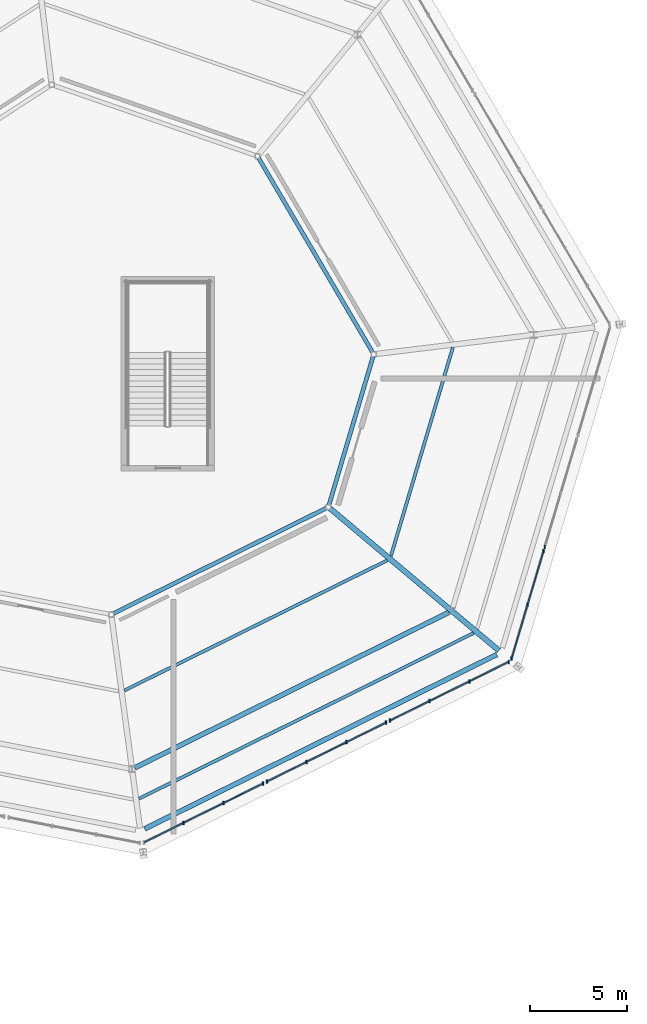
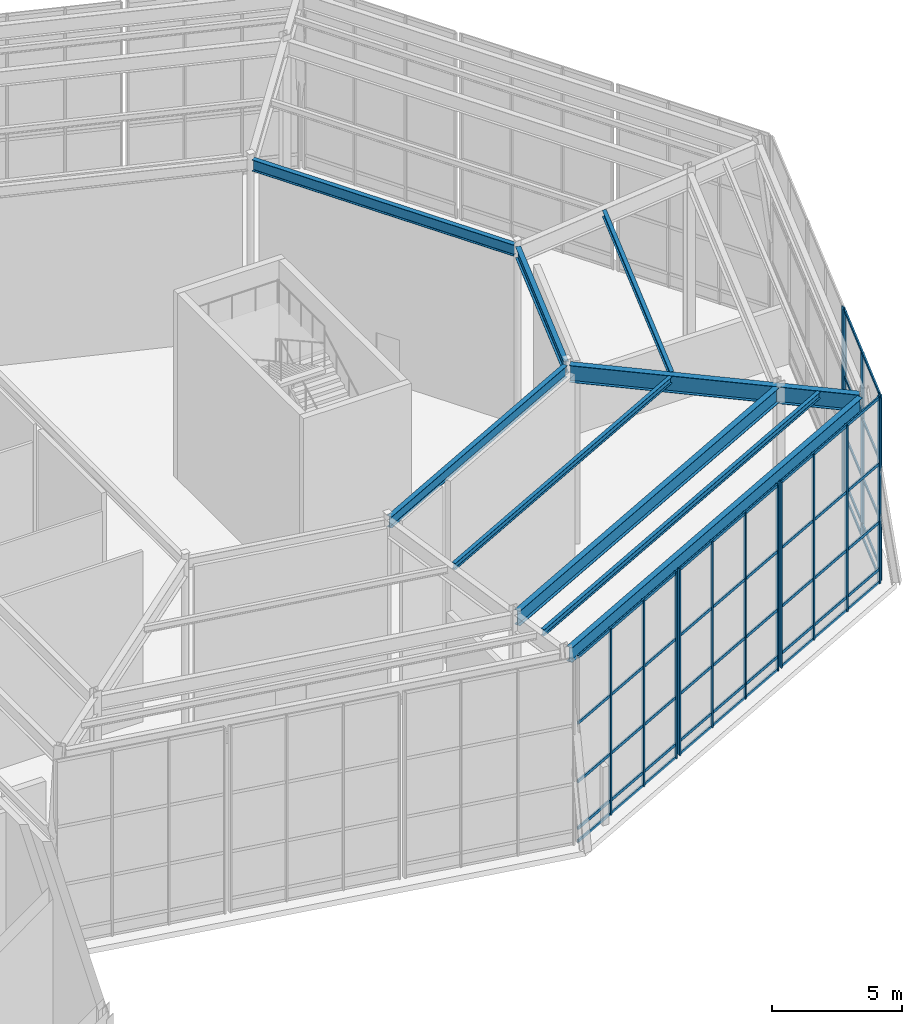
# One storey, part 22 of 48: 35 members, 9 beams, 5 elements without a shape of their own.
"""IFC4 building model written with IfcOpenShell, lengths in metres."""

from ifc_helpers import new_model, si_unit, direction, frame, origin, origin_2d, place, context, subcontext, project, spatial, rectangle, i_section, extrude, material, material_profile, profile_set, type_object, element, aggregate, save


model = new_model("IFC4")

# Units and contexts
model_context = context("Model", 3, precision=1e-05, world=origin(), true_north=direction((0.0, 1.0)))
body_context = subcontext(model_context, "Body", "Model", "MODEL_VIEW")
ifc_project = project(units=[si_unit("LENGTHUNIT", "METRE"), si_unit("AREAUNIT", "SQUARE_METRE"), si_unit("VOLUMEUNIT", "CUBIC_METRE"), si_unit("PLANEANGLEUNIT", "RADIAN"), si_unit("MASSUNIT", "GRAM", prefix="KILO")], contexts=[model_context])

# Site, building, storey
site_placement = place(None, origin())
site = spatial("IfcSite", under=ifc_project, at=site_placement, CompositionType="ELEMENT")
building_placement = place(site_placement, origin())
building = spatial("IfcBuilding", under=site, at=building_placement, Name="Sarnbrook Museum", CompositionType="ELEMENT")
storey_placement = place(building_placement, frame((0.0, 0.0, 19.10009765625)))
storey = spatial("IfcBuildingStorey", under=building, at=storey_placement, Name="L04", CompositionType="ELEMENT", Elevation=19.10009765625)

# Beams
ifc_material_1 = material(Name="Structural Steel Grade 300PLUS (AS/NZS 3679.1, fy = 280 MPa for 17 < t <= 40 mm, 300 MPa for t <= 17 mm)", Category="steel")
ifc_material_profile_1 = material_profile(ifc_material_1, i_section(OverallWidth=0.208984375, OverallDepth=0.532958984375, WebThickness=0.01025390625, FlangeThickness=0.015625, FilletRadius=0.013916015625, at=origin_2d()), Name="530UB92.4")
ifc_profile_set_1 = profile_set([ifc_material_profile_1], Name="Structural Steel Grade 300PLUS (AS/NZS 3679.1, fy = 280 MPa for 17 < t <= 40 mm, 300 MPa for t <= 17 mm)")
beam_type_1 = type_object("IfcBeamType", Name="BM-UB530", PredefinedType="BEAM", material=ifc_profile_set_1)
beam_1_placement = place(storey_placement, frame((140.99462890625, 72.882080078125, 8.473388671875), z_axis=(0.896163006555, 0.443724988796, 0.0), x_axis=(-0.443724988796, 0.896163006555, 0.0)))
element("IfcBeam", 1, at=beam_1_placement, inside=storey, type_object=beam_type_1, Name="Crystal Hall R2 Ring Girder 2 L04", PredefinedType="BEAM", context=body_context, shape_type="SweptSolid", body=[
    extrude(i_section(OverallWidth=0.208984375, OverallDepth=0.532958984375, WebThickness=0.01025390625, FlangeThickness=0.015625, FilletRadius=0.013916015625, at=origin_2d()), origin(), (0.0, 0.0, 1.0), 12.216796875),
])
beam_2_placement = place(storey_placement, frame((152.08447265625, 78.47119140625, 8.473388671875), z_axis=(0.284603578138, 0.958645295879, 0.0), x_axis=(-0.958645295879, 0.284603578138, 0.0)))
element("IfcBeam", 2, at=beam_2_placement, inside=storey, type_object=beam_type_1, Name="Crystal Hall R2 Ring Girder 3 L04", PredefinedType="BEAM", context=body_context, shape_type="SweptSolid", body=[
    extrude(i_section(OverallWidth=0.208984375, OverallDepth=0.532958984375, WebThickness=0.01025390625, FlangeThickness=0.015625, FilletRadius=0.013916015625, at=origin_2d()), origin(), (0.0, 0.0, 1.0), 7.952880859375),
])
beam_3_placement = place(storey_placement, frame((154.3212890625, 86.313720703125, 8.473388671875), z_axis=(-0.506064427748, 0.862495678231, 0.0), x_axis=(-0.862495678231, -0.506064427748, 0.0)))
element("IfcBeam", 3, at=beam_3_placement, inside=storey, type_object=beam_type_1, Name="Crystal Hall R2 Ring Girder 4 L04", PredefinedType="BEAM", context=body_context, shape_type="SweptSolid", body=[
    extrude(i_section(OverallWidth=0.208984375, OverallDepth=0.532958984375, WebThickness=0.01025390625, FlangeThickness=0.015625, FilletRadius=0.013916015625, at=origin_2d()), origin(), (0.0, 0.0, 1.0), 11.569580078125),
])
ifc_material_2 = material(Name="Structural Steel Grade 350L0 (AS/NZS 3678, fy = 340 MPa for 20 < t <= 40 mm)", Category="steel")
ifc_material_profile_2 = material_profile(ifc_material_2, i_section(OverallWidth=0.25, OverallDepth=0.699951171875, WebThickness=0.010009765625, FlangeThickness=0.01611328125, at=origin_2d()), Name="700WB130")
ifc_profile_set_2 = profile_set([ifc_material_profile_2], Name="Structural Steel Grade 350L0 (AS/NZS 3678, fy = 340 MPa for 20 < t <= 40 mm)")
beam_type_2 = type_object("IfcBeamType", Name="BM-WB700", PredefinedType="BEAM", material=ifc_profile_set_2)
beam_4_placement = place(storey_placement, frame((142.607421875, 61.81005859375, 8.389892578125), z_axis=(0.896158997355, 0.443733085829, 0.0), x_axis=(-0.443733085829, 0.896158997355, 0.0)))
element("IfcBeam", 4, at=beam_4_placement, inside=storey, type_object=beam_type_2, Name="Crystal Hall Perimeter Ring Girder 2 L04", PredefinedType="BEAM", context=body_context, shape_type="SweptSolid", body=[
    extrude(i_section(OverallWidth=0.25, OverallDepth=0.699951171875, WebThickness=0.010009765625, FlangeThickness=0.01611328125, at=origin_2d()), origin(), (0.0, 0.0, 1.0), 20.193359375),
])
beam_5_placement = place(storey_placement, frame((142.099609375, 64.948486328125, 8.389892578125), z_axis=(0.8961652972, 0.443720362497, 0.0), x_axis=(-0.443720362497, 0.8961652972, 0.0)))
element("IfcBeam", 5, at=beam_5_placement, inside=storey, type_object=beam_type_2, Name="Crystal Hall R1 Ring Girder 2 L04", PredefinedType="BEAM", context=body_context, shape_type="SweptSolid", body=[
    extrude(i_section(OverallWidth=0.25, OverallDepth=0.699951171875, WebThickness=0.010009765625, FlangeThickness=0.01611328125, at=origin_2d()), origin(), (0.0, 0.0, 1.0), 18.021240234375),
])
ifc_material_profile_3 = material_profile(ifc_material_2, i_section(OverallWidth=0.27490234375, OverallDepth=0.800048828125, WebThickness=0.010009765625, FlangeThickness=0.01611328125, at=origin_2d()), Name="800WB146")
ifc_profile_set_3 = profile_set([ifc_material_profile_3], Name="Structural Steel Grade 350L0 (AS/NZS 3678, fy = 340 MPa for 20 < t <= 40 mm)")
beam_type_3 = type_object("IfcBeamType", Name="CR-CANT", PredefinedType="BEAM", material=ifc_profile_set_3)
beam_6_placement = place(storey_placement, frame((152.14208984375, 78.27880859375, 8.33984375), z_axis=(0.764964813544, -0.644072072085, 0.0), x_axis=(0.644072072085, 0.764964813544, 0.0)))
element("IfcBeam", 6, at=beam_6_placement, inside=storey, type_object=beam_type_3, Name="Crystal Hall Radial Cantilever Girder 3 L04", PredefinedType="BEAM", context=body_context, shape_type="SweptSolid", body=[
    extrude(i_section(OverallWidth=0.27490234375, OverallDepth=0.800048828125, WebThickness=0.010009765625, FlangeThickness=0.01611328125, at=origin_2d()), origin(), (0.0, 0.0, 1.0), 11.33544921875),
])

# Curtain wall, members
ifc_material_3 = material(Name="Thermally Broken Anodised Aluminium 6063-T6", Category="aluminium")
curtain_wall_type = type_object("IfcCurtainWallType", Name="CurtainWall_CrystalFacet", PredefinedType="NOTDEFINED", material=ifc_material_3)
curtain_wall_1_placement = place(storey_placement, origin())
curtain_wall_1 = element("IfcCurtainWall", 7, at=curtain_wall_1_placement, inside=storey, type_object=curtain_wall_type, Name="Crystal Hall Facet Curtain Wall L04-F2.1", PredefinedType="NOTDEFINED")
ifc_material_profile_4 = material_profile(ifc_material_3, rectangle(XDim=0.06494140625, YDim=0.179931640625, at=origin_2d()), Name="ALU MULLION 65x180")
ifc_profile_set_4 = profile_set([ifc_material_profile_4], Name="Thermally Broken Anodised Aluminium 6063-T6")
member_type_1 = type_object("IfcMemberType", Name="CW_Mullion_180x75", PredefinedType="MULLION", material=ifc_profile_set_4)
member_1_placement = place(storey_placement, frame((144.6005859375, 62.11669921875, 0.0), z_axis=(0.0, 0.0, 1.0), x_axis=(1.0, 0.0, 0.0)))
member_1 = element("IfcMember", 8, at=member_1_placement, type_object=member_type_1, Name="Crystal Hall Facet Curtain Wall L04-F2.1 Mullion 2", PredefinedType="MULLION", context=body_context, shape_type="SweptSolid", body=[
    extrude(rectangle(XDim=0.06494140625, YDim=0.179931640625, at=origin_2d()), origin(), (0.0, 0.0, 1.0), 8.739990234375),
])
member_2_placement = place(storey_placement, frame((146.66015625, 63.13671875, 0.0), z_axis=(0.0, 0.0, 1.0), x_axis=(1.0, 0.0, 0.0)))
member_2 = element("IfcMember", 9, at=member_2_placement, type_object=member_type_1, Name="Crystal Hall Facet Curtain Wall L04-F2.1 Mullion 3", PredefinedType="MULLION", context=body_context, shape_type="SweptSolid", body=[
    extrude(rectangle(XDim=0.06494140625, YDim=0.179931640625, at=origin_2d()), origin(), (0.0, 0.0, 1.0), 8.739990234375),
])
member_3_placement = place(storey_placement, frame((148.68408203125, 64.138671875, 0.0), z_axis=(0.0, 0.0, 1.0), x_axis=(1.0, 0.0, 0.0)))
member_3 = element("IfcMember", 10, at=member_3_placement, type_object=member_type_1, Name="Crystal Hall Facet Curtain Wall L04-F2.1 Mullion 4", PredefinedType="MULLION", context=body_context, shape_type="SweptSolid", body=[
    extrude(rectangle(XDim=0.06494140625, YDim=0.179931640625, at=origin_2d()), origin(), (0.0, 0.0, 1.0), 8.739990234375),
])

curtain_wall_2_placement = place(storey_placement, origin())
curtain_wall_2 = element("IfcCurtainWall", 11, at=curtain_wall_2_placement, inside=storey, type_object=curtain_wall_type, Name="Crystal Hall Facet Curtain Wall L04-F2.2", PredefinedType="NOTDEFINED")
member_4_placement = place(storey_placement, frame((148.899169921875, 64.2451171875, 0.0), z_axis=(0.0, 0.0, 1.0), x_axis=(1.0, 0.0, 0.0)))
member_4 = element("IfcMember", 12, at=member_4_placement, type_object=member_type_1, Name="Crystal Hall Facet Curtain Wall L04-F2.2 Mullion 1", PredefinedType="MULLION", context=body_context, shape_type="SweptSolid", body=[
    extrude(rectangle(XDim=0.06494140625, YDim=0.179931640625, at=origin_2d()), origin(), (0.0, 0.0, 1.0), 8.739990234375),
])
member_5_placement = place(storey_placement, frame((150.923095703125, 65.247314453125, 0.0), z_axis=(0.0, 0.0, 1.0), x_axis=(1.0, 0.0, 0.0)))
member_5 = element("IfcMember", 13, at=member_5_placement, type_object=member_type_1, Name="Crystal Hall Facet Curtain Wall L04-F2.2 Mullion 2", PredefinedType="MULLION", context=body_context, shape_type="SweptSolid", body=[
    extrude(rectangle(XDim=0.06494140625, YDim=0.179931640625, at=origin_2d()), origin(), (0.0, 0.0, 1.0), 8.739990234375),
])
member_6_placement = place(storey_placement, frame((152.98291015625, 66.26708984375, 0.0), z_axis=(0.0, 0.0, 1.0), x_axis=(1.0, 0.0, 0.0)))
member_6 = element("IfcMember", 14, at=member_6_placement, type_object=member_type_1, Name="Crystal Hall Facet Curtain Wall L04-F2.2 Mullion 3", PredefinedType="MULLION", context=body_context, shape_type="SweptSolid", body=[
    extrude(rectangle(XDim=0.06494140625, YDim=0.179931640625, at=origin_2d()), origin(), (0.0, 0.0, 1.0), 8.739990234375),
])
member_7_placement = place(storey_placement, frame((155.006591796875, 67.269287109375, 0.0), z_axis=(0.0, 0.0, 1.0), x_axis=(1.0, 0.0, 0.0)))
member_7 = element("IfcMember", 15, at=member_7_placement, type_object=member_type_1, Name="Crystal Hall Facet Curtain Wall L04-F2.2 Mullion 4", PredefinedType="MULLION", context=body_context, shape_type="SweptSolid", body=[
    extrude(rectangle(XDim=0.06494140625, YDim=0.179931640625, at=origin_2d()), origin(), (0.0, 0.0, 1.0), 8.739990234375),
])

curtain_wall_3_placement = place(storey_placement, origin())
curtain_wall_3 = element("IfcCurtainWall", 16, at=curtain_wall_3_placement, inside=storey, type_object=curtain_wall_type, Name="Crystal Hall Facet Curtain Wall L04-F2.3", PredefinedType="NOTDEFINED")
member_8_placement = place(storey_placement, frame((155.2216796875, 67.375732421875, 0.0), z_axis=(0.0, 0.0, 1.0), x_axis=(1.0, 0.0, 0.0)))
member_8 = element("IfcMember", 17, at=member_8_placement, type_object=member_type_1, Name="Crystal Hall Facet Curtain Wall L04-F2.3 Mullion 1", PredefinedType="MULLION", context=body_context, shape_type="SweptSolid", body=[
    extrude(rectangle(XDim=0.06494140625, YDim=0.179931640625, at=origin_2d()), origin(), (0.0, 0.0, 1.0), 8.739990234375),
])
member_9_placement = place(storey_placement, frame((157.24560546875, 68.3779296875, 0.0), z_axis=(0.0, 0.0, 1.0), x_axis=(1.0, 0.0, 0.0)))
member_9 = element("IfcMember", 18, at=member_9_placement, type_object=member_type_1, Name="Crystal Hall Facet Curtain Wall L04-F2.3 Mullion 2", PredefinedType="MULLION", context=body_context, shape_type="SweptSolid", body=[
    extrude(rectangle(XDim=0.06494140625, YDim=0.179931640625, at=origin_2d()), origin(), (0.0, 0.0, 1.0), 8.739990234375),
])
member_10_placement = place(storey_placement, frame((159.305419921875, 69.397705078125, 0.0), z_axis=(0.0, 0.0, 1.0), x_axis=(1.0, 0.0, 0.0)))
member_10 = element("IfcMember", 19, at=member_10_placement, type_object=member_type_1, Name="Crystal Hall Facet Curtain Wall L04-F2.3 Mullion 3", PredefinedType="MULLION", context=body_context, shape_type="SweptSolid", body=[
    extrude(rectangle(XDim=0.06494140625, YDim=0.179931640625, at=origin_2d()), origin(), (0.0, 0.0, 1.0), 8.739990234375),
])
member_11_placement = place(storey_placement, frame((161.3291015625, 70.39990234375, 0.0), z_axis=(0.0, 0.0, 1.0), x_axis=(1.0, 0.0, 0.0)))
member_11 = element("IfcMember", 20, at=member_11_placement, type_object=member_type_1, Name="Crystal Hall Facet Curtain Wall L04-F2.3 Mullion 4", PredefinedType="MULLION", context=body_context, shape_type="SweptSolid", body=[
    extrude(rectangle(XDim=0.06494140625, YDim=0.179931640625, at=origin_2d()), origin(), (0.0, 0.0, 1.0), 8.739990234375),
])

curtain_wall_4_placement = place(storey_placement, origin())
curtain_wall_4 = element("IfcCurtainWall", 21, at=curtain_wall_4_placement, inside=storey, type_object=curtain_wall_type, Name="Crystal Hall Facet Curtain Wall L04-F3.1", PredefinedType="NOTDEFINED")
member_12_placement = place(storey_placement, frame((161.470947265625, 70.568115234375, 0.0), z_axis=(0.0, 0.0, 1.0), x_axis=(1.0, 0.0, 0.0)))
member_12 = element("IfcMember", 22, at=member_12_placement, type_object=member_type_1, Name="Crystal Hall Facet Curtain Wall L04-F3.1 Mullion 1", PredefinedType="MULLION", context=body_context, shape_type="SweptSolid", body=[
    extrude(rectangle(XDim=0.06494140625, YDim=0.179931640625, at=origin_2d()), origin(), (0.0, 0.0, 1.0), 8.739990234375),
])
member_13_placement = place(storey_placement, frame((162.28955078125, 73.325927734375, 0.0), z_axis=(0.0, 0.0, 1.0), x_axis=(1.0, 0.0, 0.0)))
member_13 = element("IfcMember", 23, at=member_13_placement, type_object=member_type_1, Name="Crystal Hall Facet Curtain Wall L04-F3.1 Mullion 2", PredefinedType="MULLION", context=body_context, shape_type="SweptSolid", body=[
    extrude(rectangle(XDim=0.06494140625, YDim=0.179931640625, at=origin_2d()), origin(), (0.0, 0.0, 1.0), 8.739990234375),
])
member_14_placement = place(storey_placement, frame((163.1083984375, 76.083740234375, 0.0), z_axis=(0.0, 0.0, 1.0), x_axis=(1.0, 0.0, 0.0)))
member_14 = element("IfcMember", 24, at=member_14_placement, type_object=member_type_1, Name="Crystal Hall Facet Curtain Wall L04-F3.1 Mullion 3", PredefinedType="MULLION", context=body_context, shape_type="SweptSolid", body=[
    extrude(rectangle(XDim=0.06494140625, YDim=0.179931640625, at=origin_2d()), origin(), (0.0, 0.0, 1.0), 8.739990234375),
])

# Curtain wall, member
curtain_wall_5_placement = place(storey_placement, origin())
curtain_wall_5 = element("IfcCurtainWall", 25, at=curtain_wall_5_placement, inside=storey, type_object=curtain_wall_type, Name="Crystal Hall Facet Curtain Wall L04-F3.2", PredefinedType="NOTDEFINED")
member_15_placement = place(storey_placement, frame((163.176513671875, 76.31396484375, 0.0), z_axis=(0.0, 0.0, 1.0), x_axis=(1.0, 0.0, 0.0)))
member_15 = element("IfcMember", 26, at=member_15_placement, type_object=member_type_1, Name="Crystal Hall Facet Curtain Wall L04-F3.2 Mullion 1", PredefinedType="MULLION", context=body_context, shape_type="SweptSolid", body=[
    extrude(rectangle(XDim=0.06494140625, YDim=0.179931640625, at=origin_2d()), origin(), (0.0, 0.0, 1.0), 8.739990234375),
])
aggregate(curtain_wall_5, [member_15])

# Member
ifc_material_profile_5 = material_profile(ifc_material_3, rectangle(XDim=0.06494140625, YDim=0.139892578125, at=origin_2d()), Name="ALU TRANSOM 65x140")
ifc_profile_set_5 = profile_set([ifc_material_profile_5], Name="Thermally Broken Anodised Aluminium 6063-T6")
member_type_2 = type_object("IfcMemberType", Name="CW_Transom_150x65", PredefinedType="USERDEFINED", material=ifc_profile_set_5)
member_16_placement = place(storey_placement, frame((142.585693359375, 61.119140625, 0.039794921875), z_axis=(0.896159427972, 0.443732216159, 0.0), x_axis=(-0.443732216159, 0.896159427972, 0.0)))
member_16 = element("IfcMember", 27, at=member_16_placement, type_object=member_type_2, Name="Crystal Hall Facet Curtain Wall L04-F2.1 Transom 1", ObjectType="TRANSOM", PredefinedType="USERDEFINED", context=body_context, shape_type="SweptSolid", body=[
    extrude(rectangle(XDim=0.06494140625, YDim=0.139892578125, at=origin_2d()), origin(), (0.0, 0.0, 1.0), 6.794921875),
])

member_17_placement = place(storey_placement, frame((142.585693359375, 61.119140625, 0.64990234375), z_axis=(0.896159427972, 0.443732216159, 0.0), x_axis=(-0.443732216159, 0.896159427972, 0.0)))
member_17 = element("IfcMember", 28, at=member_17_placement, type_object=member_type_2, Name="Crystal Hall Facet Curtain Wall L04-F2.1 Transom 2", ObjectType="TRANSOM", PredefinedType="USERDEFINED", context=body_context, shape_type="SweptSolid", body=[
    extrude(rectangle(XDim=0.06494140625, YDim=0.139892578125, at=origin_2d()), origin(), (0.0, 0.0, 1.0), 6.794921875),
])

member_18_placement = place(storey_placement, frame((142.585693359375, 61.119140625, 2.849853515625), z_axis=(0.896159427972, 0.443732216159, 0.0), x_axis=(-0.443732216159, 0.896159427972, 0.0)))
member_18 = element("IfcMember", 29, at=member_18_placement, type_object=member_type_2, Name="Crystal Hall Facet Curtain Wall L04-F2.1 Transom 3", ObjectType="TRANSOM", PredefinedType="USERDEFINED", context=body_context, shape_type="SweptSolid", body=[
    extrude(rectangle(XDim=0.06494140625, YDim=0.139892578125, at=origin_2d()), origin(), (0.0, 0.0, 1.0), 6.794921875),
])

member_19_placement = place(storey_placement, frame((142.585693359375, 61.119140625, 5.599853515625), z_axis=(0.896159427972, 0.443732216159, 0.0), x_axis=(-0.443732216159, 0.896159427972, 0.0)))
member_19 = element("IfcMember", 30, at=member_19_placement, type_object=member_type_2, Name="Crystal Hall Facet Curtain Wall L04-F2.1 Transom 4", ObjectType="TRANSOM", PredefinedType="USERDEFINED", context=body_context, shape_type="SweptSolid", body=[
    extrude(rectangle(XDim=0.06494140625, YDim=0.139892578125, at=origin_2d()), origin(), (0.0, 0.0, 1.0), 6.794921875),
])

member_20_placement = place(storey_placement, frame((142.585693359375, 61.119140625, 8.699951171875), z_axis=(0.896159427972, 0.443732216159, 0.0), x_axis=(-0.443732216159, 0.896159427972, 0.0)))
member_20 = element("IfcMember", 31, at=member_20_placement, type_object=member_type_2, Name="Crystal Hall Facet Curtain Wall L04-F2.1 Transom 5", ObjectType="TRANSOM", PredefinedType="USERDEFINED", context=body_context, shape_type="SweptSolid", body=[
    extrude(rectangle(XDim=0.06494140625, YDim=0.139892578125, at=origin_2d()), origin(), (0.0, 0.0, 1.0), 6.794921875),
])

aggregate(curtain_wall_1, [member_1, member_2, member_3, member_16, member_17, member_18, member_19, member_20])

member_21_placement = place(storey_placement, frame((148.908203125, 64.249755859375, 0.039794921875), z_axis=(0.896166502133, 0.443717928932, 0.0), x_axis=(-0.443717928932, 0.896166502133, 0.0)))
member_21 = element("IfcMember", 32, at=member_21_placement, type_object=member_type_2, Name="Crystal Hall Facet Curtain Wall L04-F2.2 Transom 1", ObjectType="TRANSOM", PredefinedType="USERDEFINED", context=body_context, shape_type="SweptSolid", body=[
    extrude(rectangle(XDim=0.06494140625, YDim=0.139892578125, at=origin_2d()), origin(), (0.0, 0.0, 1.0), 6.795166015625),
])

member_22_placement = place(storey_placement, frame((148.908203125, 64.249755859375, 0.64990234375), z_axis=(0.896166502133, 0.443717928932, 0.0), x_axis=(-0.443717928932, 0.896166502133, 0.0)))
member_22 = element("IfcMember", 33, at=member_22_placement, type_object=member_type_2, Name="Crystal Hall Facet Curtain Wall L04-F2.2 Transom 2", ObjectType="TRANSOM", PredefinedType="USERDEFINED", context=body_context, shape_type="SweptSolid", body=[
    extrude(rectangle(XDim=0.06494140625, YDim=0.139892578125, at=origin_2d()), origin(), (0.0, 0.0, 1.0), 6.795166015625),
])

member_23_placement = place(storey_placement, frame((148.908203125, 64.249755859375, 2.849853515625), z_axis=(0.896166502133, 0.443717928932, 0.0), x_axis=(-0.443717928932, 0.896166502133, 0.0)))
member_23 = element("IfcMember", 34, at=member_23_placement, type_object=member_type_2, Name="Crystal Hall Facet Curtain Wall L04-F2.2 Transom 3", ObjectType="TRANSOM", PredefinedType="USERDEFINED", context=body_context, shape_type="SweptSolid", body=[
    extrude(rectangle(XDim=0.06494140625, YDim=0.139892578125, at=origin_2d()), origin(), (0.0, 0.0, 1.0), 6.795166015625),
])

member_24_placement = place(storey_placement, frame((148.908203125, 64.249755859375, 5.599853515625), z_axis=(0.896166502133, 0.443717928932, 0.0), x_axis=(-0.443717928932, 0.896166502133, 0.0)))
member_24 = element("IfcMember", 35, at=member_24_placement, type_object=member_type_2, Name="Crystal Hall Facet Curtain Wall L04-F2.2 Transom 4", ObjectType="TRANSOM", PredefinedType="USERDEFINED", context=body_context, shape_type="SweptSolid", body=[
    extrude(rectangle(XDim=0.06494140625, YDim=0.139892578125, at=origin_2d()), origin(), (0.0, 0.0, 1.0), 6.795166015625),
])

member_25_placement = place(storey_placement, frame((148.908203125, 64.249755859375, 8.699951171875), z_axis=(0.896166502133, 0.443717928932, 0.0), x_axis=(-0.443717928932, 0.896166502133, 0.0)))
member_25 = element("IfcMember", 36, at=member_25_placement, type_object=member_type_2, Name="Crystal Hall Facet Curtain Wall L04-F2.2 Transom 5", ObjectType="TRANSOM", PredefinedType="USERDEFINED", context=body_context, shape_type="SweptSolid", body=[
    extrude(rectangle(XDim=0.06494140625, YDim=0.139892578125, at=origin_2d()), origin(), (0.0, 0.0, 1.0), 6.795166015625),
])

aggregate(curtain_wall_2, [member_4, member_5, member_6, member_7, member_21, member_22, member_23, member_24, member_25])

member_26_placement = place(storey_placement, frame((155.230712890625, 67.380126953125, 0.039794921875), z_axis=(0.896152215072, 0.443746782999, 0.0), x_axis=(-0.443746782999, 0.896152215072, 0.0)))
member_26 = element("IfcMember", 37, at=member_26_placement, type_object=member_type_2, Name="Crystal Hall Facet Curtain Wall L04-F2.3 Transom 1", ObjectType="TRANSOM", PredefinedType="USERDEFINED", context=body_context, shape_type="SweptSolid", body=[
    extrude(rectangle(XDim=0.06494140625, YDim=0.139892578125, at=origin_2d()), origin(), (0.0, 0.0, 1.0), 6.795166015625),
])

member_27_placement = place(storey_placement, frame((155.230712890625, 67.380126953125, 0.64990234375), z_axis=(0.896152215072, 0.443746782999, 0.0), x_axis=(-0.443746782999, 0.896152215072, 0.0)))
member_27 = element("IfcMember", 38, at=member_27_placement, type_object=member_type_2, Name="Crystal Hall Facet Curtain Wall L04-F2.3 Transom 2", ObjectType="TRANSOM", PredefinedType="USERDEFINED", context=body_context, shape_type="SweptSolid", body=[
    extrude(rectangle(XDim=0.06494140625, YDim=0.139892578125, at=origin_2d()), origin(), (0.0, 0.0, 1.0), 6.795166015625),
])

member_28_placement = place(storey_placement, frame((155.230712890625, 67.380126953125, 2.849853515625), z_axis=(0.896152215072, 0.443746782999, 0.0), x_axis=(-0.443746782999, 0.896152215072, 0.0)))
member_28 = element("IfcMember", 39, at=member_28_placement, type_object=member_type_2, Name="Crystal Hall Facet Curtain Wall L04-F2.3 Transom 3", ObjectType="TRANSOM", PredefinedType="USERDEFINED", context=body_context, shape_type="SweptSolid", body=[
    extrude(rectangle(XDim=0.06494140625, YDim=0.139892578125, at=origin_2d()), origin(), (0.0, 0.0, 1.0), 6.795166015625),
])

member_29_placement = place(storey_placement, frame((155.230712890625, 67.380126953125, 5.599853515625), z_axis=(0.896152215072, 0.443746782999, 0.0), x_axis=(-0.443746782999, 0.896152215072, 0.0)))
member_29 = element("IfcMember", 40, at=member_29_placement, type_object=member_type_2, Name="Crystal Hall Facet Curtain Wall L04-F2.3 Transom 4", ObjectType="TRANSOM", PredefinedType="USERDEFINED", context=body_context, shape_type="SweptSolid", body=[
    extrude(rectangle(XDim=0.06494140625, YDim=0.139892578125, at=origin_2d()), origin(), (0.0, 0.0, 1.0), 6.795166015625),
])

member_30_placement = place(storey_placement, frame((155.230712890625, 67.380126953125, 8.699951171875), z_axis=(0.896152215072, 0.443746782999, 0.0), x_axis=(-0.443746782999, 0.896152215072, 0.0)))
member_30 = element("IfcMember", 41, at=member_30_placement, type_object=member_type_2, Name="Crystal Hall Facet Curtain Wall L04-F2.3 Transom 5", ObjectType="TRANSOM", PredefinedType="USERDEFINED", context=body_context, shape_type="SweptSolid", body=[
    extrude(rectangle(XDim=0.06494140625, YDim=0.139892578125, at=origin_2d()), origin(), (0.0, 0.0, 1.0), 6.795166015625),
])

aggregate(curtain_wall_3, [member_8, member_9, member_10, member_11, member_26, member_27, member_28, member_29, member_30])

member_31_placement = place(storey_placement, frame((161.4736328125, 70.57763671875, 0.039794921875), z_axis=(0.284604402661, 0.958645051093, 0.0), x_axis=(-0.958645051093, 0.284604402661, 0.0)))
member_31 = element("IfcMember", 42, at=member_31_placement, type_object=member_type_2, Name="Crystal Hall Facet Curtain Wall L04-F3.1 Transom 1", ObjectType="TRANSOM", PredefinedType="USERDEFINED", context=body_context, shape_type="SweptSolid", body=[
    extrude(rectangle(XDim=0.06494140625, YDim=0.139892578125, at=origin_2d()), origin(), (0.0, 0.0, 1.0), 5.733642578125),
])

member_32_placement = place(storey_placement, frame((161.4736328125, 70.57763671875, 0.64990234375), z_axis=(0.284604402661, 0.958645051093, 0.0), x_axis=(-0.958645051093, 0.284604402661, 0.0)))
member_32 = element("IfcMember", 43, at=member_32_placement, type_object=member_type_2, Name="Crystal Hall Facet Curtain Wall L04-F3.1 Transom 2", ObjectType="TRANSOM", PredefinedType="USERDEFINED", context=body_context, shape_type="SweptSolid", body=[
    extrude(rectangle(XDim=0.06494140625, YDim=0.139892578125, at=origin_2d()), origin(), (0.0, 0.0, 1.0), 5.733642578125),
])

member_33_placement = place(storey_placement, frame((161.4736328125, 70.57763671875, 2.849853515625), z_axis=(0.284604402661, 0.958645051093, 0.0), x_axis=(-0.958645051093, 0.284604402661, 0.0)))
member_33 = element("IfcMember", 44, at=member_33_placement, type_object=member_type_2, Name="Crystal Hall Facet Curtain Wall L04-F3.1 Transom 3", ObjectType="TRANSOM", PredefinedType="USERDEFINED", context=body_context, shape_type="SweptSolid", body=[
    extrude(rectangle(XDim=0.06494140625, YDim=0.139892578125, at=origin_2d()), origin(), (0.0, 0.0, 1.0), 5.733642578125),
])

member_34_placement = place(storey_placement, frame((161.4736328125, 70.57763671875, 5.599853515625), z_axis=(0.284604402661, 0.958645051093, 0.0), x_axis=(-0.958645051093, 0.284604402661, 0.0)))
member_34 = element("IfcMember", 45, at=member_34_placement, type_object=member_type_2, Name="Crystal Hall Facet Curtain Wall L04-F3.1 Transom 4", ObjectType="TRANSOM", PredefinedType="USERDEFINED", context=body_context, shape_type="SweptSolid", body=[
    extrude(rectangle(XDim=0.06494140625, YDim=0.139892578125, at=origin_2d()), origin(), (0.0, 0.0, 1.0), 5.733642578125),
])

member_35_placement = place(storey_placement, frame((161.4736328125, 70.57763671875, 8.699951171875), z_axis=(0.284604402661, 0.958645051093, 0.0), x_axis=(-0.958645051093, 0.284604402661, 0.0)))
member_35 = element("IfcMember", 46, at=member_35_placement, type_object=member_type_2, Name="Crystal Hall Facet Curtain Wall L04-F3.1 Transom 5", ObjectType="TRANSOM", PredefinedType="USERDEFINED", context=body_context, shape_type="SweptSolid", body=[
    extrude(rectangle(XDim=0.06494140625, YDim=0.139892578125, at=origin_2d()), origin(), (0.0, 0.0, 1.0), 5.733642578125),
])

aggregate(curtain_wall_4, [member_12, member_13, member_14, member_31, member_32, member_33, member_34, member_35])

# Beams
ifc_material_profile_6 = material_profile(ifc_material_1, i_section(OverallWidth=0.1650390625, OverallDepth=0.303955078125, WebThickness=0.006103515625, FlangeThickness=0.01025390625, FilletRadius=0.011474609375, at=origin_2d()), Name="310UB40.4")
ifc_profile_set_6 = profile_set([ifc_material_profile_6], Name="Structural Steel Grade 300PLUS (AS/NZS 3679.1, fy = 280 MPa for 17 < t <= 40 mm, 300 MPa for t <= 17 mm)")
beam_type_4 = type_object("IfcBeamType", Name="JS-UB310", PredefinedType="JOIST", material=ifc_profile_set_6)
beam_7_placement = place(storey_placement, frame((142.31298828125, 63.359130859375, 8.587890625), z_axis=(0.896160144907, 0.443730768237, 0.0), x_axis=(-0.443730768237, 0.896160144907, 0.0)))
element("IfcBeam", 47, at=beam_7_placement, inside=storey, type_object=beam_type_4, Name="Crystal Hall Tangential Joist MO-2 L04", PredefinedType="JOIST", context=body_context, shape_type="SweptSolid", body=[
    extrude(i_section(OverallWidth=0.1650390625, OverallDepth=0.303955078125, WebThickness=0.006103515625, FlangeThickness=0.01025390625, FilletRadius=0.011474609375, at=origin_2d()), origin(), (0.0, 0.0, 1.0), 19.197509765625),
])
beam_8_placement = place(storey_placement, frame((141.56494140625, 68.924072265625, 8.587890625), z_axis=(0.89616253794, 0.443725935227, 0.0), x_axis=(-0.443725935227, 0.89616253794, 0.0)))
element("IfcBeam", 48, at=beam_8_placement, inside=storey, type_object=beam_type_4, Name="Crystal Hall Tangential Joist MI-2 L04", PredefinedType="JOIST", context=body_context, shape_type="SweptSolid", body=[
    extrude(i_section(OverallWidth=0.1650390625, OverallDepth=0.303955078125, WebThickness=0.006103515625, FlangeThickness=0.01025390625, FilletRadius=0.011474609375, at=origin_2d()), origin(), (0.0, 0.0, 1.0), 15.078857421875),
])
beam_9_placement = place(storey_placement, frame((155.26708984375, 75.83935546875, 8.587890625), z_axis=(0.284608009206, 0.958643980368, 0.0), x_axis=(-0.958643980368, 0.284608009206, 0.0)))
element("IfcBeam", 49, at=beam_9_placement, inside=storey, type_object=beam_type_4, Name="Crystal Hall Tangential Joist MI-3 L04", PredefinedType="JOIST", context=body_context, shape_type="SweptSolid", body=[
    extrude(i_section(OverallWidth=0.1650390625, OverallDepth=0.303955078125, WebThickness=0.006103515625, FlangeThickness=0.01025390625, FilletRadius=0.011474609375, at=origin_2d()), origin(), (0.0, 0.0, 1.0), 11.179931640625),
])

save(model, "model.ifc")
